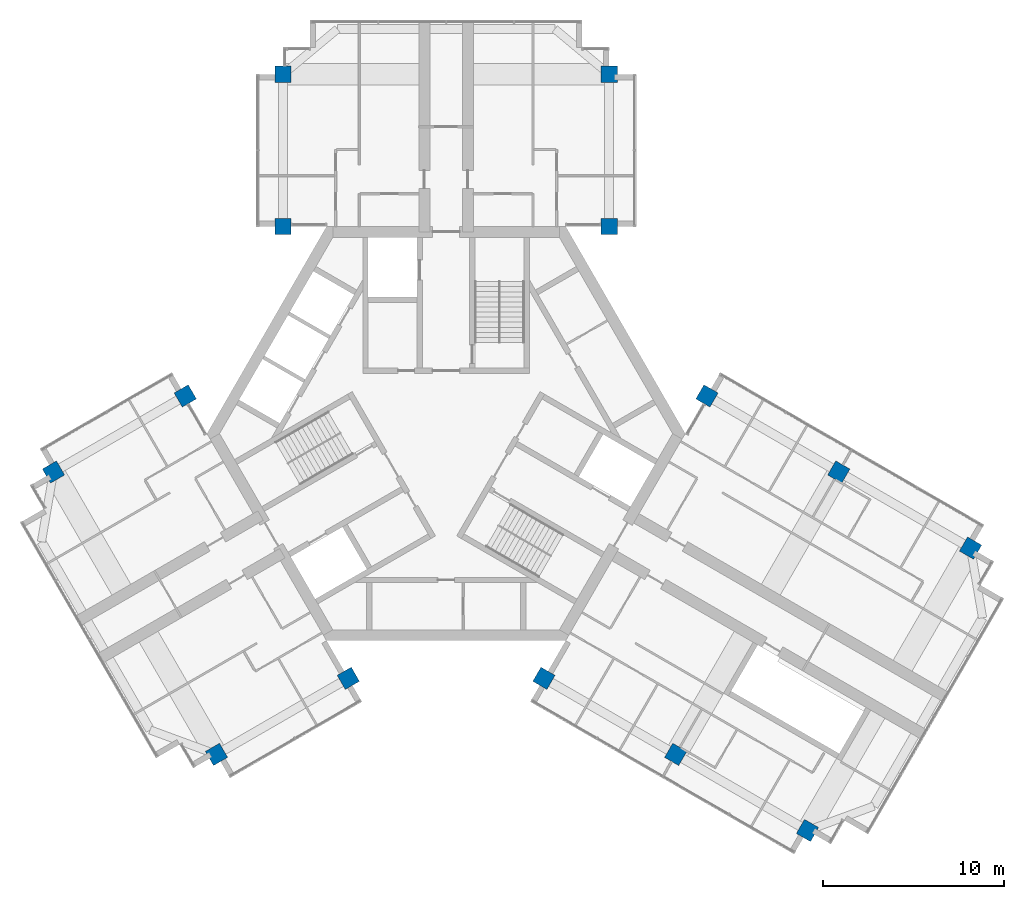
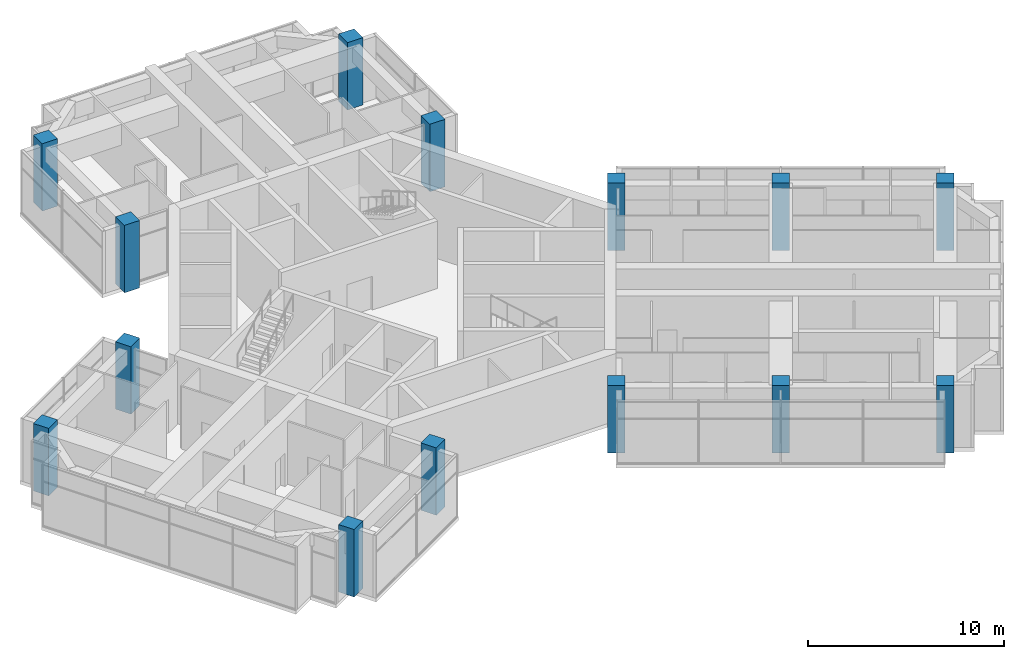
# One storey, part 1 of 14: 14 columns.
"""IFC4 building model written with IfcOpenShell, lengths in metres."""

from ifc_helpers import new_model, si_unit, direction, frame, origin, origin_2d, place, context, subcontext, project, spatial, rectangle, extrude, material, material_profile, profile_set, type_object, element, save


model = new_model("IFC4")

# Units and contexts
model_context = context("Model", 3, precision=1e-05, world=origin(), true_north=direction((0.0, 1.0)))
body_context = subcontext(model_context, "Body", "Model", "MODEL_VIEW")
ifc_project = project(units=[si_unit("LENGTHUNIT", "METRE"), si_unit("AREAUNIT", "SQUARE_METRE"), si_unit("VOLUMEUNIT", "CUBIC_METRE"), si_unit("PLANEANGLEUNIT", "RADIAN"), si_unit("MASSUNIT", "GRAM", prefix="KILO")], contexts=[model_context])

# Site, building, storey
site_placement = place(None, origin())
site = spatial("IfcSite", under=ifc_project, at=site_placement, CompositionType="ELEMENT")
building_placement = place(site_placement, origin())
building = spatial("IfcBuilding", under=site, at=building_placement, Name="Impinga Residences", CompositionType="ELEMENT")
storey_placement = place(building_placement, frame((0.0, 0.0, 291.550048828125)))
storey = spatial("IfcBuildingStorey", under=building, at=storey_placement, Name="L73", CompositionType="ELEMENT", Elevation=291.550048828125)

# Columns
ifc_material = material(Name="Concrete C60/75", Category="concrete")
ifc_material_profile = material_profile(ifc_material, rectangle(XDim=0.89990234375, YDim=0.89990234375, at=origin_2d()), Name="RC 900x900")
ifc_profile_set = profile_set([ifc_material_profile], Name="Concrete C60/75")
column_type = type_object("IfcColumnType", Name="C5 900x900 column", PredefinedType="COLUMN", material=ifc_profile_set)
for number, where, z_axis, x_axis, name in (
    (1, (-9.0, 11.431640625, 0.0), (0.0, 0.0, 1.0), (1.0, 0.0, 0.0), "Column C5 N1/NA L73"),
    (2, (9.0, 11.431640625, 0.0), (0.0, 0.0, 1.0), (1.0, 0.0, 0.0), "Column C5 N1/NF L73"),
    (3, (-9.0, 19.83154296875, 0.0), (0.0, 0.0, 1.0), (1.0, 0.0, 0.0), "Column C5 N2/NA L73"),
    (4, (9.0, 19.83154296875, 0.0), (0.0, 0.0, 1.0), (1.0, 0.0, 0.0), "Column C5 N2/NF L73"),
    (5, (-5.39990234375, -13.510009765625, 0.0), (0.0, 0.0, 1.0), (-0.5, 0.866025403784, 0.0), "Column C5 W1/WA L73"),
    (6, (-14.39990234375, 2.078369140625, 0.0), (0.0, 0.0, 1.0), (-0.5, 0.866025403784, 0.0), "Column C5 W1/WF L73"),
    (7, (-12.674560546875, -17.7099609375, 0.0), (0.0, 0.0, 1.0), (-0.5, 0.866025403784, 0.0), "Column C5 W2/WA L73"),
    (8, (-21.674560546875, -2.12158203125, 0.0), (0.0, 0.0, 1.0), (-0.5, 0.866025403784, 0.0), "Column C5 W2/WF L73"),
    (9, (14.39990234375, 2.078369140625, 0.0), (0.0, 0.0, 1.0), (-0.5, -0.866025403784, 0.0), "Column C5 E1/EA L73"),
    (10, (5.39990234375, -13.510009765625, 0.0), (0.0, 0.0, 1.0), (-0.5, -0.866025403784, 0.0), "Column C5 E1/EF L73"),
    (11, (21.674560546875, -2.12158203125, 0.0), (0.0, 0.0, 1.0), (-0.5, -0.866025403784, 0.0), "Column C5 E2/EA L73"),
    (12, (12.674560546875, -17.7099609375, 0.0), (0.0, 0.0, 1.0), (-0.5, -0.866025403784, 0.0), "Column C5 E2/EF L73"),
    (13, (28.94921875, -6.321533203125, 0.0), (0.0, 0.0, 1.0), (-0.5, -0.866025403784, 0.0), "Column C5 E3/EA L73"),
    (14, (19.94921875, -21.909912109375, 0.0), (0.0, 0.0, 1.0), (-0.5, -0.866025403784, 0.0), "Column C5 E3/EF L73"),
):
    element("IfcColumn", number, at=place(storey_placement, frame(where, z_axis=z_axis, x_axis=x_axis)), inside=storey, type_object=column_type, Name=name, PredefinedType="COLUMN", context=body_context, shape_type="SweptSolid", body=[
        extrude(rectangle(XDim=0.89990234375, YDim=0.89990234375, at=origin_2d()), origin(), (0.0, 0.0, 1.0), 4.199951171875),
    ])

save(model, "model.ifc")
